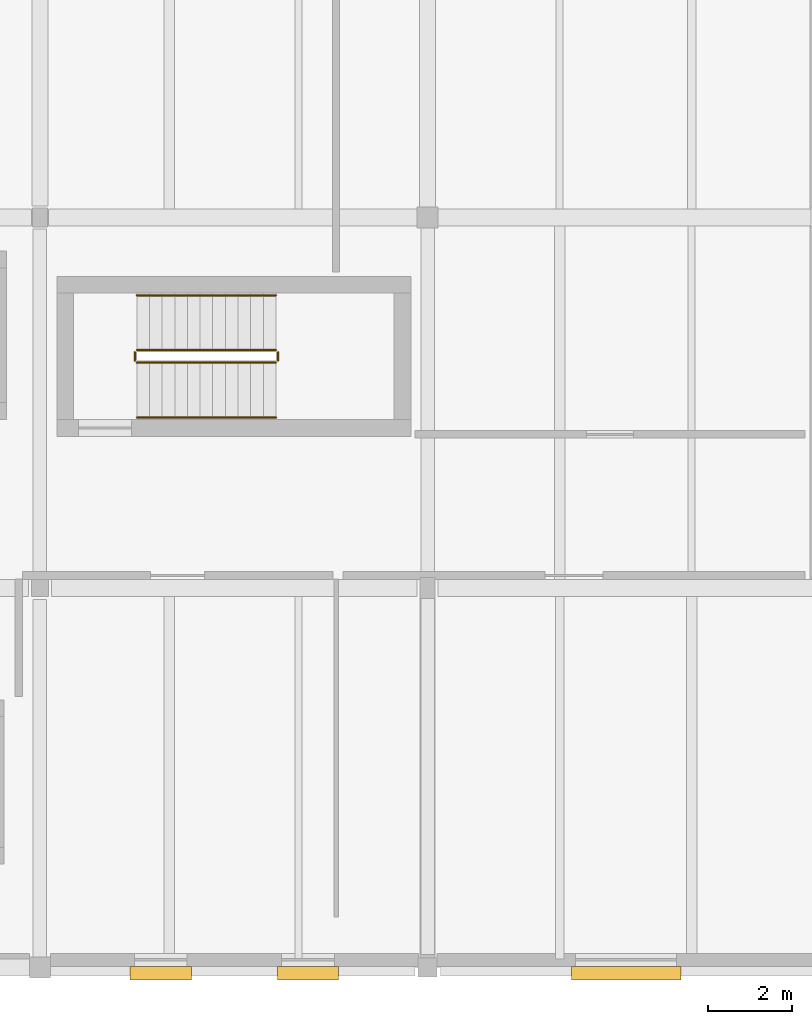
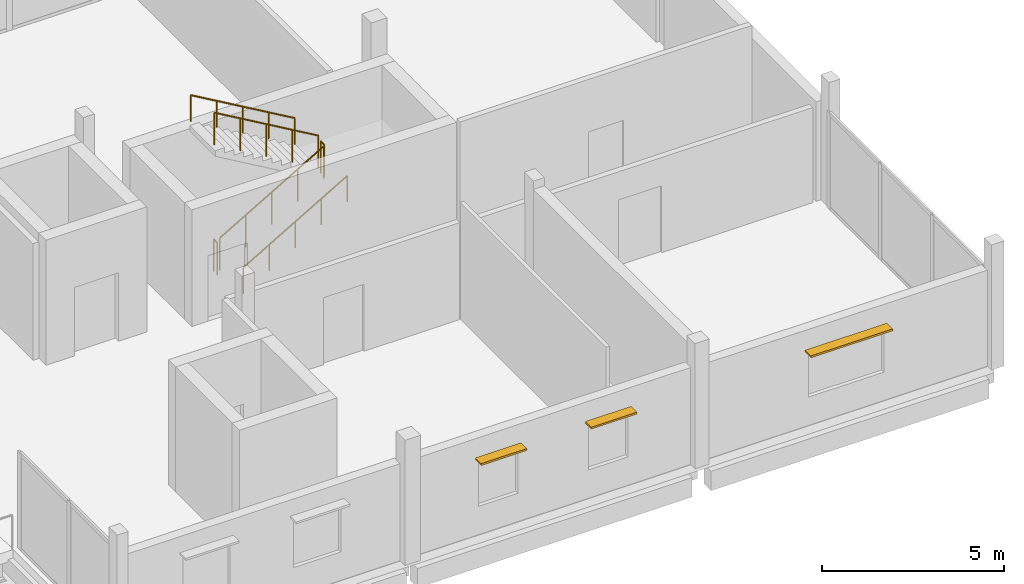
# One storey, part 34 of 35: 6 railings, 3 shading devices.
"""IFC4 building model written with IfcOpenShell, lengths in metres."""

import ifcopenshell
import ifcopenshell.guid

model = None  # the IFC model being written
_history = None  # IfcOwnerHistory: only IFC2X3 demands one
_inside = {}  # id of a spatial element -> (the spatial element, [elements in it])
_under = {}  # id of a project, library or spatial element -> (it, [spatial elements below it])
_declared = {}  # id of a project -> (the project, [libraries it declares])
_typed = {}  # id of a type object -> (the type object, [elements of that type])
_made_of = {}  # id of a material, layer set ... -> (it, [elements and type objects made of it])


def new_model(schema):
    """Start an empty IFC model of exactly this schema.

    Asked for "IFC4X3", IfcOpenShell would pick the latest addendum, in which some entities
    have other attributes; the version numbers below select the first issue.
    IFC2X3 requires an IfcOwnerHistory on every rooted entity: one is made here for all.
    """
    global model, _history
    if schema == "IFC4X3":
        model = ifcopenshell.file(schema_version=(4, 3, 0, 0))
    else:
        model = ifcopenshell.file(schema=schema)
    _inside.clear()
    _under.clear()
    _declared.clear()
    _typed.clear()
    _made_of.clear()
    _history = None
    if model.schema == "IFC2X3":
        org = make("IfcOrganization", Name="unknown")
        user = make(
            "IfcPersonAndOrganization",
            ThePerson=make("IfcPerson", FamilyName="unknown"),
            TheOrganization=org,
        )
        app = make(
            "IfcApplication",
            ApplicationDeveloper=org,
            Version="unknown",
            ApplicationFullName="unknown",
            ApplicationIdentifier="unknown",
        )
        _history = make(
            "IfcOwnerHistory",
            OwningUser=user,
            OwningApplication=app,
            ChangeAction="ADDED",
            CreationDate=0,
        )
    return model


def make(cls, **values):
    """One entity of the class cls with the attributes given. An attribute that is None is left unset."""
    return model.create_entity(
        cls, **{name: value for name, value in values.items() if value is not None}
    )


def rooted(cls, **values):
    """An entity with a GlobalId (a new one), such as an element, a storey or a relation."""
    return make(cls, GlobalId=ifcopenshell.guid.new(), OwnerHistory=_history, **values)


def si_unit(unit_type, name, prefix=None):
    """IfcSIUnit, for example si_unit("LENGTHUNIT", "METRE", prefix="MILLI")."""
    return make("IfcSIUnit", UnitType=unit_type, Prefix=prefix, Name=name)


def assignment(units):
    """IfcUnitAssignment: the units of a project."""
    return None if units is None else make("IfcUnitAssignment", Units=units)


def point(xyz):
    """IfcCartesianPoint."""
    return None if xyz is None else make("IfcCartesianPoint", Coordinates=xyz)


def direction(xyz):
    """IfcDirection."""
    return None if xyz is None else make("IfcDirection", DirectionRatios=xyz)


def frame(location, z_axis=None, x_axis=None):
    """IfcAxis2Placement3D, a coordinate frame: its origin and axes. An axis left out is left unset."""
    return make(
        "IfcAxis2Placement3D",
        Location=point(location),
        Axis=direction(z_axis),
        RefDirection=direction(x_axis),
    )


def frame_2d(location, x_axis=None):
    """IfcAxis2Placement2D, a coordinate frame in the plane: its origin and x axis."""
    return make(
        "IfcAxis2Placement2D", Location=point(location), RefDirection=direction(x_axis)
    )


def origin():
    """The frame at (0, 0, 0) with its axes left unset."""
    return frame((0.0, 0.0, 0.0))


def origin_2d():
    """The frame at (0, 0) in the plane with its x axis left unset."""
    return frame_2d((0.0, 0.0))


def place(relative_to, where):
    """IfcLocalPlacement: puts the frame where relative to a parent placement (None: the world)."""
    return make(
        "IfcLocalPlacement", PlacementRelTo=relative_to, RelativePlacement=where
    )


def context(
    kind, dimensions, precision=None, world=None, true_north=None, identifier=None
):
    """IfcGeometricRepresentationContext, for example the 3D "Model" context."""
    return make(
        "IfcGeometricRepresentationContext",
        ContextIdentifier=identifier,
        ContextType=kind,
        CoordinateSpaceDimension=dimensions,
        Precision=precision,
        WorldCoordinateSystem=world,
        TrueNorth=true_north,
    )


def subcontext(parent, identifier, kind, view, scale=None):
    """IfcGeometricRepresentationSubContext, for example "Body" below "Model"."""
    return make(
        "IfcGeometricRepresentationSubContext",
        ContextIdentifier=identifier,
        ContextType=kind,
        ParentContext=parent,
        TargetScale=scale,
        TargetView=view,
    )


def project(units=None, contexts=None):
    """IfcProject with its units and contexts."""
    return rooted(
        "IfcProject",
        Name="project",
        RepresentationContexts=contexts,
        UnitsInContext=assignment(units),
    )


def spatial(cls, under=None, at=None, **own):
    """A site, building, storey or space (cls), placed at a placement, below another one or the project."""
    s = rooted(cls, ObjectPlacement=at, **own)
    if under is not None:
        _under.setdefault(under.id(), (under, []))[1].append(s)
    return s


def profile(cls, at=None, kind="AREA", **sizes):
    """A parametric profile (cls). Its sizes go by their IFC names, for example OverallWidth=200.0."""
    return make(cls, ProfileType=kind, Position=at, **sizes)


def rectangle(**sizes):
    """IfcRectangleProfileDef."""
    return profile("IfcRectangleProfileDef", **sizes)


def circle(**sizes):
    """IfcCircleProfileDef."""
    return profile("IfcCircleProfileDef", **sizes)


def extrude(swept, where, along, depth):
    """IfcExtrudedAreaSolid: the profile swept, set in the frame where, extruded along a direction by depth."""
    return make(
        "IfcExtrudedAreaSolid",
        SweptArea=swept,
        Position=where,
        ExtrudedDirection=direction(along),
        Depth=depth,
    )


def shape(context_of_items, identifier, shape_type, items):
    """IfcShapeRepresentation: the items that make up one representation, for example the "Body"."""
    return make(
        "IfcShapeRepresentation",
        ContextOfItems=context_of_items,
        RepresentationIdentifier=identifier,
        RepresentationType=shape_type,
        Items=items,
    )


def material(Name=None, Category=None):
    """IfcMaterial."""
    return make("IfcMaterial", Name=Name, Category=Category)


def made_of(thing, what):
    """Note that an element or type object is made of a material, layer set ...; save() writes the relation."""
    if what is not None:
        _made_of.setdefault(what.id(), (what, []))[1].append(thing)
    return thing


def type_object(cls, material=None, **own):
    """A type object (cls), such as IfcWallType, which elements share."""
    return made_of(rooted(cls, **own), material)


def element(
    cls,
    number,
    at=None,
    inside=None,
    cuts=None,
    type_object=None,
    material=None,
    context=None,
    identifier="Body",
    shape_type=None,
    held_by="IfcProductDefinitionShape",
    body=None,
    shapes=None,
    **own,
):
    """One element of the class cls, such as IfcWall. Its Tag is "e" and its number.

    at: its placement. inside: the storey or other place that contains it. cuts: it is an
    opening in that element (IfcRelVoidsElement). A single representation is given by context,
    identifier, shape_type and body (its items); several are given by shapes. held_by: the class
    of the entity that holds the representations. save() writes the other relations.
    """
    e = rooted(cls, Tag="e%d" % number, ObjectPlacement=at, **own)
    if body is not None:
        shapes = [shape(context, identifier, shape_type, body)]
    if shapes is not None:
        e.Representation = make(held_by, Representations=shapes)
    if inside is not None:
        _inside.setdefault(inside.id(), (inside, []))[1].append(e)
    if cuts is not None:
        rooted(
            "IfcRelVoidsElement", RelatingBuildingElement=cuts, RelatedOpeningElement=e
        )
    if type_object is not None:
        _typed.setdefault(type_object.id(), (type_object, []))[1].append(e)
    return made_of(e, material)


def aggregate(whole, parts):
    """IfcRelAggregates: a whole, such as a stair, and the parts it consists of."""
    return rooted("IfcRelAggregates", RelatingObject=whole, RelatedObjects=parts)


def save(model, path):
    """Write the relations noted so far, then the file.

    IfcRelAggregates (storeys below a building ...), IfcRelContainedInSpatialStructure (elements
    in a storey), IfcRelDefinesByType, IfcRelAssociatesMaterial and IfcRelDeclares: one each for
    every whole, place, type object, material and project.
    """
    for whole, parts in _under.values():
        aggregate(whole, parts)
    for where, things in _inside.values():
        rooted(
            "IfcRelContainedInSpatialStructure",
            RelatedElements=things,
            RelatingStructure=where,
        )
    for kind, things in _typed.values():
        rooted("IfcRelDefinesByType", RelatedObjects=things, RelatingType=kind)
    for what, things in _made_of.values():
        rooted("IfcRelAssociatesMaterial", RelatedObjects=things, RelatingMaterial=what)
    for by, libraries in _declared.values():
        rooted("IfcRelDeclares", RelatingContext=by, RelatedDefinitions=libraries)
    model.write(path)


model = new_model("IFC4")

# Units and contexts
model_context = context("Model", 3, precision=1e-05, world=origin(), true_north=direction((0.0, 1.0)))
body_context = subcontext(model_context, "Body", "Model", "MODEL_VIEW")
ifc_project = project(units=[si_unit("LENGTHUNIT", "METRE"), si_unit("AREAUNIT", "SQUARE_METRE"), si_unit("VOLUMEUNIT", "CUBIC_METRE"), si_unit("PLANEANGLEUNIT", "RADIAN"), si_unit("MASSUNIT", "GRAM", prefix="KILO")], contexts=[model_context])

# Site, building, storey
site_placement = place(None, origin())
site = spatial("IfcSite", under=ifc_project, at=site_placement, CompositionType="ELEMENT")
building_placement = place(site_placement, origin())
building = spatial("IfcBuilding", under=site, at=building_placement, Name="Birchvale Park Specialist Clinic", CompositionType="ELEMENT")
storey_placement = place(building_placement, frame((0.0, 0.0, 13.800048828125)))
storey = spatial("IfcBuildingStorey", under=building, at=storey_placement, Name="L03", CompositionType="ELEMENT", Elevation=13.800048828125)

# Railings
ifc_material_1 = material(Name="Brushed stainless steel guard railing", Category="steel")
railing_type_1 = type_object("IfcRailingType", Name="RL-GRD1", PredefinedType="GUARDRAIL", material=ifc_material_1)
railing_1_placement = place(storey_placement, frame((139.5, 31.14990234375, 0.175048828125)))
element("IfcRailing", 1, at=railing_1_placement, inside=storey, type_object=railing_type_1, Name="L03 ST6 stair guard 1", PredefinedType="GUARDRAIL", context=body_context, shape_type="SweptSolid", body=[
    extrude(circle(Radius=0.02392578125, at=origin_2d()), frame((0.0, 0.0, 1.076171875), z_axis=(0.863804395585, 0.0, 0.503827317807), x_axis=(0.0, 1.0, 0.0)), (0.0, 0.0, 1.0), 3.8203125),
    extrude(circle(Radius=0.02099609375, at=origin_2d()), origin(), (0.0, 0.0, 1.0), 1.052001953125),
    extrude(circle(Radius=0.02099609375, at=origin_2d()), frame((0.824951171875, 0.0, 0.481201171875)), (0.0, 0.0, 1.0), 1.052001953125),
    extrude(circle(Radius=0.02099609375, at=origin_2d()), frame((1.64990234375, 0.0, 0.96240234375)), (0.0, 0.0, 1.0), 1.052001953125),
    extrude(circle(Radius=0.02099609375, at=origin_2d()), frame((2.47509765625, 0.0, 1.443603515625)), (0.0, 0.0, 1.0), 1.052001953125),
    extrude(circle(Radius=0.02099609375, at=origin_2d()), frame((3.300048828125, 0.0, 1.9248046875)), (0.0, 0.0, 1.0), 1.052001953125),
])
railing_2_placement = place(storey_placement, frame((142.85009765625, 31.199951171875, 2.099853515625)))
element("IfcRailing", 2, at=railing_2_placement, inside=storey, type_object=railing_type_1, Name="L03 ST6 stair guard 2", PredefinedType="GUARDRAIL", context=body_context, shape_type="SweptSolid", body=[
    extrude(circle(Radius=0.02392578125, at=origin_2d()), frame((0.0, 0.0, 1.076171875), z_axis=(0.0, 1.0, 0.0), x_axis=(-1.0, 0.0, 0.0)), (0.0, 0.0, 1.0), 0.199951171875),
    extrude(circle(Radius=0.02099609375, at=origin_2d()), origin(), (0.0, 0.0, 1.0), 1.052001953125),
    extrude(circle(Radius=0.02099609375, at=origin_2d()), frame((0.0, 0.199951171875, 0.0)), (0.0, 0.0, 1.0), 1.052001953125),
])
railing_3_placement = place(storey_placement, frame((142.800048828125, 31.449951171875, 2.27490234375)))
element("IfcRailing", 3, at=railing_3_placement, inside=storey, type_object=railing_type_1, Name="L03 ST6 stair guard 3", PredefinedType="GUARDRAIL", context=body_context, shape_type="SweptSolid", body=[
    extrude(circle(Radius=0.02392578125, at=origin_2d()), frame((0.0, 0.0, 1.076171875), z_axis=(-0.863776583165, 0.0, 0.503874998761), x_axis=(0.0, -1.0, 0.0)), (0.0, 0.0, 1.0), 3.820556640625),
    extrude(circle(Radius=0.02099609375, at=origin_2d()), origin(), (0.0, 0.0, 1.0), 1.052001953125),
    extrude(circle(Radius=0.02099609375, at=origin_2d()), frame((-0.824951171875, 0.0, 0.481201171875)), (0.0, 0.0, 1.0), 1.052001953125),
    extrude(circle(Radius=0.02099609375, at=origin_2d()), frame((-1.64990234375, 0.0, 0.96240234375)), (0.0, 0.0, 1.0), 1.052001953125),
    extrude(circle(Radius=0.02099609375, at=origin_2d()), frame((-2.47509765625, 0.0, 1.44384765625)), (0.0, 0.0, 1.0), 1.052001953125),
    extrude(circle(Radius=0.02099609375, at=origin_2d()), frame((-3.300048828125, 0.0, 1.925048828125)), (0.0, 0.0, 1.0), 1.052001953125),
])
railing_4_placement = place(storey_placement, frame((139.449951171875, 31.199951171875, 0.0)))
element("IfcRailing", 4, at=railing_4_placement, inside=storey, type_object=railing_type_1, Name="L03 ST6 stair guard 4", PredefinedType="GUARDRAIL", context=body_context, shape_type="SweptSolid", body=[
    extrude(circle(Radius=0.02392578125, at=origin_2d()), frame((0.0, 0.0, 1.076171875), z_axis=(0.0, 1.0, 0.0), x_axis=(-1.0, 0.0, 0.0)), (0.0, 0.0, 1.0), 0.199951171875),
    extrude(circle(Radius=0.02099609375, at=origin_2d()), origin(), (0.0, 0.0, 1.0), 1.052001953125),
    extrude(circle(Radius=0.02099609375, at=origin_2d()), frame((0.0, 0.199951171875, 0.0)), (0.0, 0.0, 1.0), 1.052001953125),
])
ifc_material_2 = material(Name="Anodised aluminium handrail", Category="aluminium")
railing_type_2 = type_object("IfcRailingType", Name="RL-HND1", PredefinedType="HANDRAIL", material=ifc_material_2)
railing_5_placement = place(storey_placement, frame((139.5, 29.85009765625, 0.175048828125)))
element("IfcRailing", 5, at=railing_5_placement, inside=storey, type_object=railing_type_2, Name="L03 ST6 stair handrail 1", PredefinedType="HANDRAIL", context=body_context, shape_type="SweptSolid", body=[
    extrude(circle(Radius=0.02392578125, at=origin_2d()), frame((0.0, 0.0, 0.8759765625), z_axis=(0.863804395585, 0.0, 0.503827317807), x_axis=(0.0, 1.0, 0.0)), (0.0, 0.0, 1.0), 3.8203125),
    extrude(circle(Radius=0.02099609375, at=origin_2d()), origin(), (0.0, 0.0, 1.0), 0.851806640625),
    extrude(circle(Radius=0.02099609375, at=origin_2d()), frame((0.824951171875, 0.0, 0.481201171875)), (0.0, 0.0, 1.0), 0.851806640625),
    extrude(circle(Radius=0.02099609375, at=origin_2d()), frame((1.64990234375, 0.0, 0.96240234375)), (0.0, 0.0, 1.0), 0.851806640625),
    extrude(circle(Radius=0.02099609375, at=origin_2d()), frame((2.47509765625, 0.0, 1.443603515625)), (0.0, 0.0, 1.0), 0.851806640625),
    extrude(circle(Radius=0.02099609375, at=origin_2d()), frame((3.300048828125, 0.0, 1.9248046875)), (0.0, 0.0, 1.0), 0.851806640625),
])
railing_6_placement = place(storey_placement, frame((142.800048828125, 32.75, 2.27490234375)))
element("IfcRailing", 6, at=railing_6_placement, inside=storey, type_object=railing_type_2, Name="L03 ST6 stair handrail 2", PredefinedType="HANDRAIL", context=body_context, shape_type="SweptSolid", body=[
    extrude(circle(Radius=0.02392578125, at=origin_2d()), frame((0.0, 0.0, 0.8759765625), z_axis=(-0.863776583165, 0.0, 0.503874998761), x_axis=(0.0, -1.0, 0.0)), (0.0, 0.0, 1.0), 3.820556640625),
    extrude(circle(Radius=0.02099609375, at=origin_2d()), origin(), (0.0, 0.0, 1.0), 0.851806640625),
    extrude(circle(Radius=0.02099609375, at=origin_2d()), frame((-0.824951171875, 0.0, 0.481201171875)), (0.0, 0.0, 1.0), 0.851806640625),
    extrude(circle(Radius=0.02099609375, at=origin_2d()), frame((-1.64990234375, 0.0, 0.96240234375)), (0.0, 0.0, 1.0), 0.851806640625),
    extrude(circle(Radius=0.02099609375, at=origin_2d()), frame((-2.47509765625, 0.0, 1.44384765625)), (0.0, 0.0, 1.0), 0.851806640625),
    extrude(circle(Radius=0.02099609375, at=origin_2d()), frame((-3.300048828125, 0.0, 1.925048828125)), (0.0, 0.0, 1.0), 0.851806640625),
])

# Shading devices
ifc_material_3 = material(Name="Nordic larch solar louvre")
shading_device_type = type_object("IfcShadingDeviceType", Name="SHD-LVR1", PredefinedType="JALOUSIE", material=ifc_material_3)
for number, where, z_axis, x_axis, name in (
    (7, (140.0654296875, 16.659912109375, 2.54736328125), (0.0, 0.0, 1.0), (1.0, 0.0, 0.0), "V5 L03 timber sun louvre 48"),
    (8, (143.5595703125, 16.659912109375, 2.54736328125), (0.0, 0.0, 1.0), (1.0, 0.0, 0.0), "V5 L03 timber sun louvre 49"),
):
    element("IfcShadingDevice", number, at=place(storey_placement, frame(where, z_axis=z_axis, x_axis=x_axis)), inside=storey, type_object=shading_device_type, Name=name, PredefinedType="JALOUSIE", context=body_context, shape_type="SweptSolid", body=[
        extrude(rectangle(XDim=1.449951171875, YDim=0.320068359375, at=origin_2d()), origin(), (0.0, 0.0, 1.0), 0.06494140625),
    ])
shading_device_placement = place(storey_placement, frame((151.112548828125, 16.659912109375, 2.49755859375), z_axis=(0.0, 0.0, 1.0), x_axis=(1.0, 0.0, 0.0)))
element("IfcShadingDevice", 9, at=shading_device_placement, inside=storey, type_object=shading_device_type, Name="V5 L03 timber sun louvre 50", PredefinedType="JALOUSIE", context=body_context, shape_type="SweptSolid", body=[
    extrude(rectangle(XDim=2.60009765625, YDim=0.320068359375, at=origin_2d()), origin(), (0.0, 0.0, 1.0), 0.06494140625),
])

save(model, "model.ifc")
